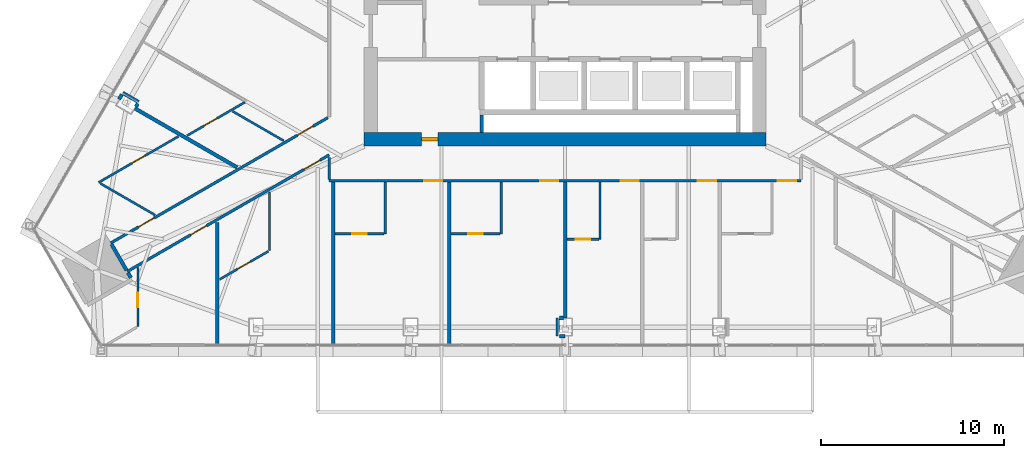
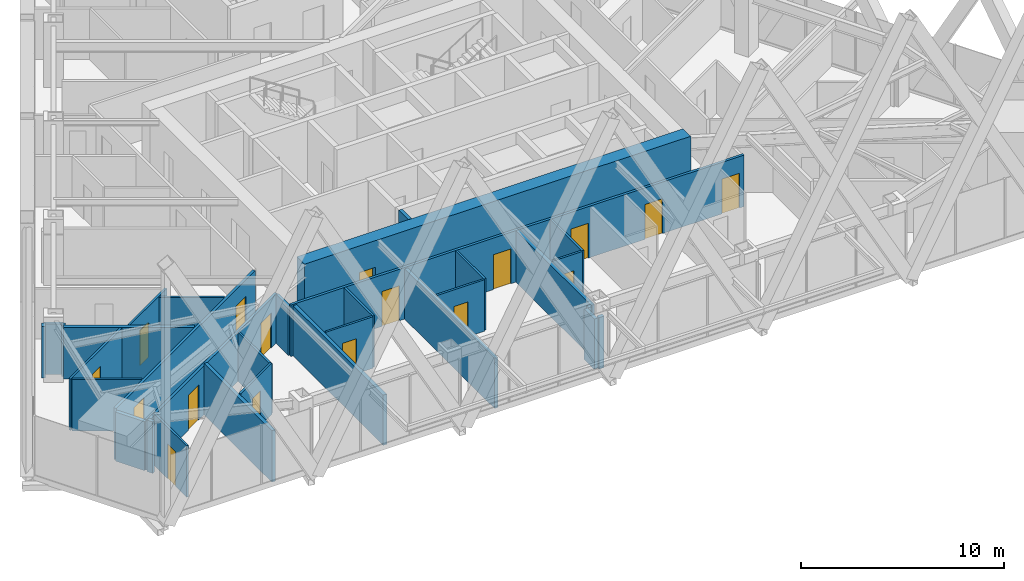
# One storey, part 12 of 19: 32 walls, 17 doors, 17 openings.
"""IFC4 building model written with IfcOpenShell, lengths in metres."""

from ifc_helpers import new_model, si_unit, direction, frame, frame_2d, origin, place, context, subcontext, project, spatial, rectangle, extrude, material, layer, layer_set, type_object, element, fill, save


model = new_model("IFC4")

# Units and contexts
model_context = context("Model", 3, precision=1e-05, world=origin(), true_north=direction((0.0, 1.0)))
body_context = subcontext(model_context, "Body", "Model", "MODEL_VIEW")
ifc_project = project(units=[si_unit("LENGTHUNIT", "METRE"), si_unit("AREAUNIT", "SQUARE_METRE"), si_unit("VOLUMEUNIT", "CUBIC_METRE"), si_unit("PLANEANGLEUNIT", "RADIAN"), si_unit("MASSUNIT", "GRAM", prefix="KILO")], contexts=[model_context])

# Site, building, storey
site_placement = place(None, origin())
site = spatial("IfcSite", under=ifc_project, at=site_placement, CompositionType="ELEMENT")
building_placement = place(site_placement, origin())
building = spatial("IfcBuilding", under=site, at=building_placement, Name="Firuza Gate Tower and Library", CompositionType="ELEMENT")
storey_placement = place(building_placement, frame((0.0, 0.0, 218.199951171875)))
storey = spatial("IfcBuildingStorey", under=building, at=storey_placement, Name="L51", CompositionType="ELEMENT", Elevation=218.199951171875)

# Wall
ifc_material_1 = material(Name="Plasterboard on steel studs", Category="steel")
ifc_layer_1 = layer(ifc_material_1, 0.199951171875)
ifc_layer_set_1 = layer_set([ifc_layer_1], Name="Core partition 200 EI 120")
wall_type_1 = type_object("IfcWallType", Name="Core partition 200 EI 120", PredefinedType="PARTITIONING", material=ifc_layer_set_1)
wall_1_placement = place(storey_placement, frame((70.449951171875, 67.75, 0.0), z_axis=(0.0, 0.0, 1.0), x_axis=(0.0, 1.0, 0.0)))
element("IfcWall", 1, at=wall_1_placement, inside=storey, type_object=wall_type_1, Name="Core partition L51 9", PredefinedType="PARTITIONING", context=body_context, shape_type="SweptSolid", body=[
    extrude(rectangle(XDim=0.949951171875, YDim=0.199951171875, at=frame_2d((0.47509765625, 0.0))), origin(), (0.0, 0.0, 1.0), 3.699951171875),
])

# Wall, opening, door
ifc_material_2 = material(Name="Concrete C80/95", Category="concrete")
ifc_layer_2 = layer(ifc_material_2, 0.75)
ifc_layer_set_2 = layer_set([ifc_layer_2], Name="Core wall 750 C80/95")
wall_type_2 = type_object("IfcWallType", Name="Core wall 750 C80/95", PredefinedType="SHEAR", material=ifc_layer_set_2)
wall_2_placement = place(storey_placement, frame((64.0, 67.375, 0.0), z_axis=(0.0, 0.0, 1.0), x_axis=(1.0, 0.0, 0.0)))
wall_2 = element("IfcWall", 2, at=wall_2_placement, inside=storey, type_object=wall_type_2, Name="Core wall L51 1", PredefinedType="SHEAR", context=body_context, shape_type="SweptSolid", body=[
    extrude(rectangle(XDim=22.0, YDim=0.75, at=frame_2d((11.0, 0.0))), origin(), (0.0, 0.0, 1.0), 3.699951171875),
])
opening_1_placement = place(wall_2_placement, frame((3.14990234375, 0.0, 0.0)))
opening_1 = element("IfcOpeningElement", 3, at=opening_1_placement, cuts=wall_2, Name="Opening L51-K22", PredefinedType="OPENING", context=body_context, shape_type="SweptSolid", body=[
    extrude(rectangle(XDim=0.89990234375, YDim=2.10009765625, at=frame_2d((0.449951171875, 1.050048828125))), frame((0.0, 0.385009765625, 0.0), z_axis=(0.0, -1.0, 0.0), x_axis=(1.0, 0.0, 0.0)), (0.0, 0.0, 1.0), 0.77001953125),
])
ifc_material_3 = material(Name="Steel", Category="steel")
door_type_1 = type_object("IfcDoorType", Name="Fire door 900x2100 FD30S", OperationType="NOTDEFINED", PredefinedType="DOOR", material=ifc_material_3)
door_1_placement = place(opening_1_placement, origin())
door_1 = element("IfcDoor", 4, at=door_1_placement, inside=storey, type_object=door_type_1, Name="Door L51-K22", OperationType="SINGLE_SWING_LEFT", OverallHeight=2.10009765625, OverallWidth=0.89990234375, PredefinedType="DOOR", context=body_context, shape_type="SweptSolid", body=[
    extrude(rectangle(XDim=0.89990234375, YDim=2.10009765625, at=frame_2d((0.449951171875, 1.050048828125))), frame((0.0, 0.094970703125, 0.0), z_axis=(0.0, -1.0, 0.0), x_axis=(1.0, 0.0, 0.0)), (0.0, 0.0, 1.0), 0.18994140625),
])
fill(opening_1, door_1)

# Wall, openings, doors
ifc_material_4 = material(Name="Gypsum board partition")
ifc_layer_3 = layer(ifc_material_4, 0.14990234375)
ifc_layer_set_3 = layer_set([ifc_layer_3], Name="Corridor wall 150 double board on steel studs")
wall_type_3 = type_object("IfcWallType", Name="Corridor wall 150 double board on steel studs", PredefinedType="PARTITIONING", material=ifc_layer_set_3)
wall_3_placement = place(storey_placement, frame((87.8994140625, 65.10009765625, 0.0), z_axis=(0.0, 0.0, 1.0), x_axis=(-1.0, 0.0, 0.0)))
wall_3 = element("IfcWall", 5, at=wall_3_placement, inside=storey, type_object=wall_type_3, Name="f:L51:w008", PredefinedType="PARTITIONING", context=body_context, shape_type="SweptSolid", body=[
    extrude(rectangle(XDim=25.798828125, YDim=0.14990234375, at=frame_2d((12.8994140625, 0.0))), origin(), (0.0, 0.0, 1.0), 3.10009765625),
])
opening_2_placement = place(wall_3_placement, frame((0.259033203125, 0.0, 0.0)))
opening_2 = element("IfcOpeningElement", 6, at=opening_2_placement, cuts=wall_3, Name="Opening L51-06", PredefinedType="OPENING", context=body_context, shape_type="SweptSolid", body=[
    extrude(rectangle(XDim=1.0, YDim=2.10009765625, at=frame_2d((0.5, 1.050048828125))), frame((0.0, 0.0849609375, 0.0), z_axis=(0.0, -1.0, 0.0), x_axis=(1.0, 0.0, 0.0)), (0.0, 0.0, 1.0), 0.169921875),
])
opening_3_placement = place(wall_3_placement, frame((4.640625, 0.0, 0.0)))
opening_3 = element("IfcOpeningElement", 7, at=opening_3_placement, cuts=wall_3, Name="Opening L51-07", PredefinedType="OPENING", context=body_context, shape_type="SweptSolid", body=[
    extrude(rectangle(XDim=1.0, YDim=2.10009765625, at=frame_2d((0.5, 1.050048828125))), frame((0.0, 0.0849609375, 0.0), z_axis=(0.0, -1.0, 0.0), x_axis=(1.0, 0.0, 0.0)), (0.0, 0.0, 1.0), 0.169921875),
])
opening_4_placement = place(wall_3_placement, frame((8.868408203125, 0.0, 0.0)))
opening_4 = element("IfcOpeningElement", 8, at=opening_4_placement, cuts=wall_3, Name="Opening L51-08", PredefinedType="OPENING", context=body_context, shape_type="SweptSolid", body=[
    extrude(rectangle(XDim=1.0, YDim=2.10009765625, at=frame_2d((0.5, 1.050048828125))), frame((0.0, 0.0849609375, 0.0), z_axis=(0.0, -1.0, 0.0), x_axis=(1.0, 0.0, 0.0)), (0.0, 0.0, 1.0), 0.169921875),
])
opening_5_placement = place(wall_3_placement, frame((13.2705078125, 0.0, 0.0)))
opening_5 = element("IfcOpeningElement", 9, at=opening_5_placement, cuts=wall_3, Name="Opening L51-09", PredefinedType="OPENING", context=body_context, shape_type="SweptSolid", body=[
    extrude(rectangle(XDim=1.0, YDim=2.10009765625, at=frame_2d((0.5, 1.050048828125))), frame((0.0, 0.0849609375, 0.0), z_axis=(0.0, -1.0, 0.0), x_axis=(1.0, 0.0, 0.0)), (0.0, 0.0, 1.0), 0.169921875),
])
opening_6_placement = place(wall_3_placement, frame((19.6123046875, 0.0, 0.0)))
opening_6 = element("IfcOpeningElement", 10, at=opening_6_placement, cuts=wall_3, Name="Opening L51-10", PredefinedType="OPENING", context=body_context, shape_type="SweptSolid", body=[
    extrude(rectangle(XDim=1.0, YDim=2.10009765625, at=frame_2d((0.5, 1.050048828125))), frame((0.0, 0.0849609375, 0.0), z_axis=(0.0, -1.0, 0.0), x_axis=(1.0, 0.0, 0.0)), (0.0, 0.0, 1.0), 0.169921875),
])
ifc_material_5 = material(Name="Steel door and timber leaf", Category="steel")
door_type_2 = type_object("IfcDoorType", Name="Fire door 1000 x 2100 steel frame, timber leaf", OperationType="NOTDEFINED", PredefinedType="DOOR", material=ifc_material_5)
door_2_placement = place(opening_2_placement, origin())
door_2 = element("IfcDoor", 11, at=door_2_placement, inside=storey, type_object=door_type_2, Name="f:L51:d006", OperationType="SINGLE_SWING_RIGHT", OverallHeight=2.10009765625, OverallWidth=1.0, PredefinedType="DOOR", context=body_context, shape_type="SweptSolid", body=[
    extrude(rectangle(XDim=1.0, YDim=2.10009765625, at=frame_2d((0.5, 1.050048828125))), frame((0.0, 0.02490234375, 0.0), z_axis=(0.0, -1.0, 0.0), x_axis=(1.0, 0.0, 0.0)), (0.0, 0.0, 1.0), 0.050048828125),
])
fill(opening_2, door_2)
door_3_placement = place(opening_3_placement, origin())
door_3 = element("IfcDoor", 12, at=door_3_placement, inside=storey, type_object=door_type_2, Name="f:L51:d007", OperationType="SINGLE_SWING_RIGHT", OverallHeight=2.10009765625, OverallWidth=1.0, PredefinedType="DOOR", context=body_context, shape_type="SweptSolid", body=[
    extrude(rectangle(XDim=1.0, YDim=2.10009765625, at=frame_2d((0.5, 1.050048828125))), frame((0.0, 0.02490234375, 0.0), z_axis=(0.0, -1.0, 0.0), x_axis=(1.0, 0.0, 0.0)), (0.0, 0.0, 1.0), 0.050048828125),
])
fill(opening_3, door_3)
door_4_placement = place(opening_4_placement, origin())
door_4 = element("IfcDoor", 13, at=door_4_placement, inside=storey, type_object=door_type_2, Name="f:L51:d008", OperationType="SINGLE_SWING_RIGHT", OverallHeight=2.10009765625, OverallWidth=1.0, PredefinedType="DOOR", context=body_context, shape_type="SweptSolid", body=[
    extrude(rectangle(XDim=1.0, YDim=2.10009765625, at=frame_2d((0.5, 1.050048828125))), frame((0.0, 0.02490234375, 0.0), z_axis=(0.0, -1.0, 0.0), x_axis=(1.0, 0.0, 0.0)), (0.0, 0.0, 1.0), 0.050048828125),
])
fill(opening_4, door_4)
door_5_placement = place(opening_5_placement, origin())
door_5 = element("IfcDoor", 14, at=door_5_placement, inside=storey, type_object=door_type_2, Name="f:L51:d009", OperationType="SINGLE_SWING_RIGHT", OverallHeight=2.10009765625, OverallWidth=1.0, PredefinedType="DOOR", context=body_context, shape_type="SweptSolid", body=[
    extrude(rectangle(XDim=1.0, YDim=2.10009765625, at=frame_2d((0.5, 1.050048828125))), frame((0.0, 0.02490234375, 0.0), z_axis=(0.0, -1.0, 0.0), x_axis=(1.0, 0.0, 0.0)), (0.0, 0.0, 1.0), 0.050048828125),
])
fill(opening_5, door_5)
door_6_placement = place(opening_6_placement, origin())
door_6 = element("IfcDoor", 15, at=door_6_placement, inside=storey, type_object=door_type_2, Name="f:L51:d010", OperationType="SINGLE_SWING_RIGHT", OverallHeight=2.10009765625, OverallWidth=1.0, PredefinedType="DOOR", context=body_context, shape_type="SweptSolid", body=[
    extrude(rectangle(XDim=1.0, YDim=2.10009765625, at=frame_2d((0.5, 1.050048828125))), frame((0.0, 0.02490234375, 0.0), z_axis=(0.0, -1.0, 0.0), x_axis=(1.0, 0.0, 0.0)), (0.0, 0.0, 1.0), 0.050048828125),
])
fill(opening_6, door_6)

wall_4_placement = place(storey_placement, frame((62.099853515625, 66.512939453125, 0.0), z_axis=(0.0, 0.0, 1.0), x_axis=(-0.866025886419, -0.499999164051, 0.0)))
wall_4 = element("IfcWall", 16, at=wall_4_placement, inside=storey, type_object=wall_type_3, Name="f:L51:w029", PredefinedType="PARTITIONING", context=body_context, shape_type="SweptSolid", body=[
    extrude(rectangle(XDim=12.75439453125, YDim=0.14990234375, at=frame_2d((6.377197265625, 0.0))), origin(), (0.0, 0.0, 1.0), 2.947021484375),
])
opening_7_placement = place(wall_4_placement, frame((0.587158203125, 0.0, 0.0)))
opening_7 = element("IfcOpeningElement", 17, at=opening_7_placement, cuts=wall_4, Name="Opening L51-21", PredefinedType="OPENING", context=body_context, shape_type="SweptSolid", body=[
    extrude(rectangle(XDim=1.0, YDim=2.10009765625, at=frame_2d((0.5, 1.050048828125))), frame((0.0, 0.0849609375, 0.0), z_axis=(0.0, -1.0, 0.0), x_axis=(1.0, 0.0, 0.0)), (0.0, 0.0, 1.0), 0.169921875),
])
opening_8_placement = place(wall_4_placement, frame((7.742431640625, 0.0, 0.0)))
opening_8 = element("IfcOpeningElement", 18, at=opening_8_placement, cuts=wall_4, Name="Opening L51-22", PredefinedType="OPENING", context=body_context, shape_type="SweptSolid", body=[
    extrude(rectangle(XDim=1.0, YDim=2.10009765625, at=frame_2d((0.5, 1.050048828125))), frame((0.0, 0.0849609375, 0.0), z_axis=(0.0, -1.0, 0.0), x_axis=(1.0, 0.0, 0.0)), (0.0, 0.0, 1.0), 0.169921875),
])
door_7_placement = place(opening_7_placement, origin())
door_7 = element("IfcDoor", 19, at=door_7_placement, inside=storey, type_object=door_type_2, Name="f:L51:d021", OperationType="SINGLE_SWING_RIGHT", OverallHeight=2.10009765625, OverallWidth=1.0, PredefinedType="DOOR", context=body_context, shape_type="SweptSolid", body=[
    extrude(rectangle(XDim=1.0, YDim=2.10009765625, at=frame_2d((0.5, 1.050048828125))), frame((0.0, 0.02490234375, 0.0), z_axis=(0.0, -1.0, 0.0), x_axis=(1.0, 0.0, 0.0)), (0.0, 0.0, 1.0), 0.050048828125),
])
fill(opening_7, door_7)
door_8_placement = place(opening_8_placement, origin())
door_8 = element("IfcDoor", 20, at=door_8_placement, inside=storey, type_object=door_type_2, Name="f:L51:d022", OperationType="SINGLE_SWING_RIGHT", OverallHeight=2.10009765625, OverallWidth=1.0, PredefinedType="DOOR", context=body_context, shape_type="SweptSolid", body=[
    extrude(rectangle(XDim=1.0, YDim=2.10009765625, at=frame_2d((0.5, 1.050048828125))), frame((0.0, 0.02490234375, 0.0), z_axis=(0.0, -1.0, 0.0), x_axis=(1.0, 0.0, 0.0)), (0.0, 0.0, 1.0), 0.050048828125),
])
fill(opening_8, door_8)

wall_5_placement = place(storey_placement, frame((50.15478515625, 61.69482421875, 0.0), z_axis=(0.0, 0.0, 1.0), x_axis=(0.8660236305, 0.500003071406, 0.0)))
wall_5 = element("IfcWall", 21, at=wall_5_placement, inside=storey, type_object=wall_type_3, Name="f:L51:w032", PredefinedType="PARTITIONING", context=body_context, shape_type="SweptSolid", body=[
    extrude(rectangle(XDim=13.70654296875, YDim=0.14990234375, at=frame_2d((6.853271484375, 0.0))), origin(), (0.0, 0.0, 1.0), 3.10009765625),
])
opening_9_placement = place(wall_5_placement, frame((1.736328125, 0.0, 0.0)))
opening_9 = element("IfcOpeningElement", 22, at=opening_9_placement, cuts=wall_5, Name="Opening L51-23", PredefinedType="OPENING", context=body_context, shape_type="SweptSolid", body=[
    extrude(rectangle(XDim=1.0, YDim=2.10009765625, at=frame_2d((0.5, 1.050048828125))), frame((0.0, 0.0849609375, 0.0), z_axis=(0.0, -1.0, 0.0), x_axis=(1.0, 0.0, 0.0)), (0.0, 0.0, 1.0), 0.169921875),
])
opening_10_placement = place(wall_5_placement, frame((11.777099609375, 0.0, 0.0)))
opening_10 = element("IfcOpeningElement", 23, at=opening_10_placement, cuts=wall_5, Name="Opening L51-24", PredefinedType="OPENING", context=body_context, shape_type="SweptSolid", body=[
    extrude(rectangle(XDim=1.0, YDim=2.10009765625, at=frame_2d((0.5, 1.050048828125))), frame((0.0, 0.0849609375, 0.0), z_axis=(0.0, -1.0, 0.0), x_axis=(1.0, 0.0, 0.0)), (0.0, 0.0, 1.0), 0.169921875),
])
door_9_placement = place(opening_9_placement, origin())
door_9 = element("IfcDoor", 24, at=door_9_placement, inside=storey, type_object=door_type_2, Name="f:L51:d023", OperationType="SINGLE_SWING_LEFT", OverallHeight=2.10009765625, OverallWidth=1.0, PredefinedType="DOOR", context=body_context, shape_type="SweptSolid", body=[
    extrude(rectangle(XDim=1.0, YDim=2.10009765625, at=frame_2d((0.5, 1.050048828125))), frame((0.0, 0.02490234375, 0.0), z_axis=(0.0, -1.0, 0.0), x_axis=(1.0, 0.0, 0.0)), (0.0, 0.0, 1.0), 0.050048828125),
])
fill(opening_9, door_9)
door_10_placement = place(opening_10_placement, origin())
door_10 = element("IfcDoor", 25, at=door_10_placement, inside=storey, type_object=door_type_2, Name="f:L51:d024", OperationType="SINGLE_SWING_RIGHT", OverallHeight=2.10009765625, OverallWidth=1.0, PredefinedType="DOOR", context=body_context, shape_type="SweptSolid", body=[
    extrude(rectangle(XDim=1.0, YDim=2.10009765625, at=frame_2d((0.5, 1.050048828125))), frame((0.0, 0.02490234375, 0.0), z_axis=(0.0, -1.0, 0.0), x_axis=(1.0, 0.0, 0.0)), (0.0, 0.0, 1.0), 0.050048828125),
])
fill(opening_10, door_10)

# Walls
wall_6_placement = place(storey_placement, frame((62.10009765625, 65.175537109375, 0.0), z_axis=(0.0, 0.0, 1.0), x_axis=(0.0, 1.0, 0.0)))
element("IfcWall", 26, at=wall_6_placement, inside=storey, type_object=wall_type_3, Name="f:L51:w081", PredefinedType="PARTITIONING", context=body_context, shape_type="SweptSolid", body=[
    extrude(rectangle(XDim=1.20068359375, YDim=0.14990234375, at=frame_2d((0.600341796875, 0.0))), origin(), (0.0, 0.0, 1.0), 2.947021484375),
])
ifc_material_6 = material(Name="Gypsum board partition")
ifc_layer_4 = layer(ifc_material_6, 0.199951171875)
ifc_layer_set_4 = layer_set([ifc_layer_4], Name="Demising wall 200 acoustic double stud")
wall_type_4 = type_object("IfcWallType", Name="Demising wall 200 acoustic double stud", PredefinedType="PARTITIONING", material=ifc_layer_set_4)
wall_7_placement = place(storey_placement, frame((74.700439453125, 56.596923828125, 0.0), z_axis=(0.0, 0.0, 1.0), x_axis=(1.0, 0.0, 0.0)))
element("IfcWall", 27, at=wall_7_placement, inside=storey, type_object=wall_type_4, Name="f:L51:w000", PredefinedType="PARTITIONING", context=body_context, shape_type="SweptSolid", body=[
    extrude(rectangle(XDim=0.299072265625, YDim=0.199951171875, at=frame_2d((0.1494140625, 0.0))), origin(), (0.0, 0.0, 1.0), 3.10009765625),
])
for number, where, z_axis, x_axis, name in (
    (28, (74.700439453125, 57.596923828125, 0.0), (0.0, 0.0, 1.0), (1.0, 0.0, 0.0), "f:L51:w002"),
    (29, (51.523193359375, 69.142822265625, 0.0), (0.0, 0.0, 1.0), (0.500359323436, 0.865817848887, 0.0), "f:L51:w044"),
):
    element("IfcWall", number, at=place(storey_placement, frame(where, z_axis=z_axis, x_axis=x_axis)), inside=storey, type_object=wall_type_4, Name=name, PredefinedType="PARTITIONING", context=body_context, shape_type="SweptSolid", body=[
        extrude(rectangle(XDim=0.198974609375, YDim=0.199951171875, at=frame_2d((0.099609375, 0.0))), origin(), (0.0, 0.0, 1.0), 3.10009765625),
    ])
wall_8_placement = place(storey_placement, frame((50.607177734375, 69.55615234375, 0.0), z_axis=(0.0, 0.0, 1.0), x_axis=(0.49965177357, 0.866226359082, 0.0)))
element("IfcWall", 30, at=wall_8_placement, inside=storey, type_object=wall_type_4, Name="f:L51:w045", PredefinedType="PARTITIONING", context=body_context, shape_type="SweptSolid", body=[
    extrude(rectangle(XDim=0.299072265625, YDim=0.199951171875, at=frame_2d((0.1494140625, 0.0))), origin(), (0.0, 0.0, 1.0), 3.10009765625),
])
wall_9_placement = place(storey_placement, frame((75.0, 57.597900390625, 0.0), z_axis=(0.0, 0.0, 1.0), x_axis=(0.0, 1.0, 0.0)))
element("IfcWall", 31, at=wall_9_placement, inside=storey, type_object=wall_type_4, Name="f:L51:w068", PredefinedType="PARTITIONING", context=body_context, shape_type="SweptSolid", body=[
    extrude(rectangle(XDim=7.427001953125, YDim=0.199951171875, at=frame_2d((3.71337890625, 0.0))), origin(), (0.0, 0.0, 1.0), 3.10009765625),
])
wall_10_placement = place(storey_placement, frame((74.60009765625, 56.597900390625, 0.0), z_axis=(0.0, 0.0, 1.0), x_axis=(0.0, 1.0, 0.0)))
element("IfcWall", 32, at=wall_10_placement, inside=storey, type_object=wall_type_4, Name="f:L51:w069", PredefinedType="PARTITIONING", context=body_context, shape_type="SweptSolid", body=[
    extrude(rectangle(XDim=0.9990234375, YDim=0.199951171875, at=frame_2d((0.49951171875, 0.0))), origin(), (0.0, 0.0, 1.0), 3.02197265625),
])
for number, where, z_axis, x_axis, name in (
    (33, (68.657958984375, 56.137451171875, 0.0), (0.0, 0.0, 1.0), (0.0, 1.0, 0.0), "f:L51:w076"),
    (34, (62.31689453125, 56.137451171875, 0.0), (0.0, 0.0, 1.0), (0.0, 1.0, 0.0), "f:L51:w080"),
):
    element("IfcWall", number, at=place(storey_placement, frame(where, z_axis=z_axis, x_axis=x_axis)), inside=storey, type_object=wall_type_4, Name=name, PredefinedType="PARTITIONING", context=body_context, shape_type="SweptSolid", body=[
        extrude(rectangle(XDim=8.887451171875, YDim=0.199951171875, at=frame_2d((4.44384765625, 0.0))), origin(), (0.0, 0.0, 1.0), 3.02197265625),
    ])
wall_11_placement = place(storey_placement, frame((55.97509765625, 56.137451171875, 0.0), z_axis=(0.0, 0.0, 1.0), x_axis=(0.0, 1.0, 0.0)))
element("IfcWall", 35, at=wall_11_placement, inside=storey, type_object=wall_type_4, Name="f:L51:w085", PredefinedType="PARTITIONING", context=body_context, shape_type="SweptSolid", body=[
    extrude(rectangle(XDim=6.6923828125, YDim=0.199951171875, at=frame_2d((3.34619140625, 0.0))), origin(), (0.0, 0.0, 1.0), 3.10009765625),
])
wall_12_placement = place(storey_placement, frame((51.25390625, 59.78955078125, 0.0), z_axis=(0.0, 0.0, 1.0), x_axis=(-0.499939380126, 0.866060399857, 0.0)))
element("IfcWall", 36, at=wall_12_placement, inside=storey, type_object=wall_type_4, Name="f:L51:w092", PredefinedType="PARTITIONING", context=body_context, shape_type="SweptSolid", body=[
    extrude(rectangle(XDim=0.32470703125, YDim=0.199951171875, at=frame_2d((0.162353515625, 0.0))), origin(), (0.0, 0.0, 1.0), 3.10009765625),
])
wall_13_placement = place(storey_placement, frame((51.673095703125, 69.402587890625, 0.0), z_axis=(0.0, 0.0, 1.0), x_axis=(-0.866039090965, 0.499976292358, 0.0)))
element("IfcWall", 37, at=wall_13_placement, inside=storey, type_object=wall_type_4, Name="f:L51:w116", PredefinedType="PARTITIONING", context=body_context, shape_type="SweptSolid", body=[
    extrude(rectangle(XDim=0.9990234375, YDim=0.199951171875, at=frame_2d((0.49951171875, 0.0))), origin(), (0.0, 0.0, 1.0), 3.02197265625),
])
wall_14_placement = place(storey_placement, frame((57.06201171875, 65.82958984375, 0.0), z_axis=(0.0, 0.0, 1.0), x_axis=(-0.866041300655, 0.499972464802, 0.0)))
element("IfcWall", 38, at=wall_14_placement, inside=storey, type_object=wall_type_4, Name="f:L51:w117", PredefinedType="PARTITIONING", context=body_context, shape_type="SweptSolid", body=[
    extrude(rectangle(XDim=6.452392578125, YDim=0.199951171875, at=frame_2d((3.22607421875, 0.0))), origin(), (0.0, 0.0, 1.0), 3.10009765625),
])
wall_15_placement = place(storey_placement, frame((51.0166015625, 60.20068359375, 0.0), z_axis=(0.0, 0.0, 1.0), x_axis=(-0.499991515992, 0.866030301974, 0.0)))
element("IfcWall", 39, at=wall_15_placement, inside=storey, type_object=wall_type_4, Name="f:L51:w121", PredefinedType="PARTITIONING", context=body_context, shape_type="SweptSolid", body=[
    extrude(rectangle(XDim=1.6494140625, YDim=0.199951171875, at=frame_2d((0.82470703125, 0.0))), origin(), (0.0, 0.0, 1.0), 2.947021484375),
])

# Wall, opening, door
ifc_material_7 = material(Name="Gypsum board partition")
ifc_layer_5 = layer(ifc_material_7, 0.1201171875)
ifc_layer_set_5 = layer_set([ifc_layer_5], Name="Wet-area partition 120 moisture-resistant board")
wall_type_5 = type_object("IfcWallType", Name="Wet-area partition 120 moisture-resistant board", PredefinedType="PARTITIONING", material=ifc_layer_set_5)
wall_16_placement = place(storey_placement, frame((75.10009765625, 61.89990234375, 0.0), z_axis=(0.0, 0.0, 1.0), x_axis=(1.0, 0.0, 0.0)))
wall_16 = element("IfcWall", 40, at=wall_16_placement, inside=storey, type_object=wall_type_5, Name="f:L51:w003", PredefinedType="PARTITIONING", context=body_context, shape_type="SweptSolid", body=[
    extrude(rectangle(XDim=1.742431640625, YDim=0.1201171875, at=frame_2d((0.87109375, 0.0))), origin(), (0.0, 0.0, 1.0), 3.10009765625),
])
opening_11_placement = place(wall_16_placement, frame((0.47119140625, 0.0, 0.0)))
opening_11 = element("IfcOpeningElement", 41, at=opening_11_placement, cuts=wall_16, Name="Opening L51-01", PredefinedType="OPENING", context=body_context, shape_type="SweptSolid", body=[
    extrude(rectangle(XDim=0.800048828125, YDim=2.10009765625, at=frame_2d((0.39990234375, 1.050048828125))), frame((0.0, 0.070068359375, 0.0), z_axis=(0.0, -1.0, 0.0), x_axis=(1.0, 0.0, 0.0)), (0.0, 0.0, 1.0), 0.14013671875),
])
ifc_material_8 = material(Name="Timber door", Category="wood")
door_type_3 = type_object("IfcDoorType", Name="Door 800 x 2100 timber leaf", OperationType="NOTDEFINED", PredefinedType="DOOR", material=ifc_material_8)
door_11_placement = place(opening_11_placement, origin())
door_11 = element("IfcDoor", 42, at=door_11_placement, inside=storey, type_object=door_type_3, Name="f:L51:d001", OperationType="SINGLE_SWING_RIGHT", OverallHeight=2.10009765625, OverallWidth=0.800048828125, PredefinedType="DOOR", context=body_context, shape_type="SweptSolid", body=[
    extrude(rectangle(XDim=0.800048828125, YDim=2.10009765625, at=frame_2d((0.39990234375, 1.050048828125))), frame((0.0, 0.02490234375, 0.0), z_axis=(0.0, -1.0, 0.0), x_axis=(1.0, 0.0, 0.0)), (0.0, 0.0, 1.0), 0.050048828125),
])
fill(opening_11, door_11)

wall_17_placement = place(storey_placement, frame((62.426513671875, 62.199951171875, 0.0), z_axis=(0.0, 0.0, 1.0), x_axis=(1.0, 0.0, 0.0)))
wall_17 = element("IfcWall", 43, at=wall_17_placement, inside=storey, type_object=wall_type_5, Name="f:L51:w005", PredefinedType="PARTITIONING", context=body_context, shape_type="SweptSolid", body=[
    extrude(rectangle(XDim=2.673828125, YDim=0.1201171875, at=frame_2d((1.3369140625, 0.0))), origin(), (0.0, 0.0, 1.0), 3.10009765625),
])
opening_12_placement = place(wall_17_placement, frame((0.93701171875, 0.0, 0.0)))
opening_12 = element("IfcOpeningElement", 44, at=opening_12_placement, cuts=wall_17, Name="Opening L51-03", PredefinedType="OPENING", context=body_context, shape_type="SweptSolid", body=[
    extrude(rectangle(XDim=0.800048828125, YDim=2.10009765625, at=frame_2d((0.39990234375, 1.050048828125))), frame((0.0, 0.070068359375, 0.0), z_axis=(0.0, -1.0, 0.0), x_axis=(1.0, 0.0, 0.0)), (0.0, 0.0, 1.0), 0.14013671875),
])
door_12_placement = place(opening_12_placement, origin())
door_12 = element("IfcDoor", 45, at=door_12_placement, inside=storey, type_object=door_type_3, Name="f:L51:d003", OperationType="SINGLE_SWING_RIGHT", OverallHeight=2.10009765625, OverallWidth=0.800048828125, PredefinedType="DOOR", context=body_context, shape_type="SweptSolid", body=[
    extrude(rectangle(XDim=0.800048828125, YDim=2.10009765625, at=frame_2d((0.39990234375, 1.050048828125))), frame((0.0, 0.02490234375, 0.0), z_axis=(0.0, -1.0, 0.0), x_axis=(1.0, 0.0, 0.0)), (0.0, 0.0, 1.0), 0.050048828125),
])
fill(opening_12, door_12)

wall_18_placement = place(storey_placement, frame((68.75830078125, 62.199951171875, 0.0), z_axis=(0.0, 0.0, 1.0), x_axis=(1.0, 0.0, 0.0)))
wall_18 = element("IfcWall", 46, at=wall_18_placement, inside=storey, type_object=wall_type_5, Name="f:L51:w006", PredefinedType="PARTITIONING", context=body_context, shape_type="SweptSolid", body=[
    extrude(rectangle(XDim=2.683837890625, YDim=0.1201171875, at=frame_2d((1.341796875, 0.0))), origin(), (0.0, 0.0, 1.0), 3.10009765625),
])
opening_13_placement = place(wall_18_placement, frame((0.94189453125, 0.0, 0.0)))
opening_13 = element("IfcOpeningElement", 47, at=opening_13_placement, cuts=wall_18, Name="Opening L51-04", PredefinedType="OPENING", context=body_context, shape_type="SweptSolid", body=[
    extrude(rectangle(XDim=0.800048828125, YDim=2.10009765625, at=frame_2d((0.39990234375, 1.050048828125))), frame((0.0, 0.070068359375, 0.0), z_axis=(0.0, -1.0, 0.0), x_axis=(1.0, 0.0, 0.0)), (0.0, 0.0, 1.0), 0.14013671875),
])
door_13_placement = place(opening_13_placement, origin())
door_13 = element("IfcDoor", 48, at=door_13_placement, inside=storey, type_object=door_type_3, Name="f:L51:d004", OperationType="SINGLE_SWING_RIGHT", OverallHeight=2.10009765625, OverallWidth=0.800048828125, PredefinedType="DOOR", context=body_context, shape_type="SweptSolid", body=[
    extrude(rectangle(XDim=0.800048828125, YDim=2.10009765625, at=frame_2d((0.39990234375, 1.050048828125))), frame((0.0, 0.02490234375, 0.0), z_axis=(0.0, -1.0, 0.0), x_axis=(1.0, 0.0, 0.0)), (0.0, 0.0, 1.0), 0.050048828125),
])
fill(opening_13, door_13)

wall_19_placement = place(storey_placement, frame((56.109375, 59.705810546875, 0.0), z_axis=(0.0, 0.0, 1.0), x_axis=(0.866042588199, 0.499970234539, 0.0)))
wall_19 = element("IfcWall", 49, at=wall_19_placement, inside=storey, type_object=wall_type_5, Name="f:L51:w026", PredefinedType="PARTITIONING", context=body_context, shape_type="SweptSolid", body=[
    extrude(rectangle(XDim=3.070556640625, YDim=0.1201171875, at=frame_2d((1.53515625, 0.0))), origin(), (0.0, 0.0, 1.0), 3.10009765625),
])
opening_14_placement = place(wall_19_placement, frame((1.13525390625, 0.0, 0.0)))
opening_14 = element("IfcOpeningElement", 50, at=opening_14_placement, cuts=wall_19, Name="Opening L51-19", PredefinedType="OPENING", context=body_context, shape_type="SweptSolid", body=[
    extrude(rectangle(XDim=0.800048828125, YDim=2.10009765625, at=frame_2d((0.39990234375, 1.050048828125))), frame((0.0, 0.070068359375, 0.0), z_axis=(0.0, -1.0, 0.0), x_axis=(1.0, 0.0, 0.0)), (0.0, 0.0, 1.0), 0.14013671875),
])
door_14_placement = place(opening_14_placement, origin())
door_14 = element("IfcDoor", 51, at=door_14_placement, inside=storey, type_object=door_type_3, Name="f:L51:d019", OperationType="SINGLE_SWING_RIGHT", OverallHeight=2.10009765625, OverallWidth=0.800048828125, PredefinedType="DOOR", context=body_context, shape_type="SweptSolid", body=[
    extrude(rectangle(XDim=0.800048828125, YDim=2.10009765625, at=frame_2d((0.39990234375, 1.050048828125))), frame((0.0, 0.02490234375, 0.0), z_axis=(0.0, -1.0, 0.0), x_axis=(1.0, 0.0, 0.0)), (0.0, 0.0, 1.0), 0.050048828125),
])
fill(opening_14, door_14)

wall_20_placement = place(storey_placement, frame((57.486328125, 69.391845703125, 0.0), z_axis=(0.0, 0.0, 1.0), x_axis=(-0.866029747927, -0.499992475648, 0.0)))
wall_20 = element("IfcWall", 52, at=wall_20_placement, inside=storey, type_object=wall_type_5, Name="f:L51:w033", PredefinedType="PARTITIONING", context=body_context, shape_type="SweptSolid", body=[
    extrude(rectangle(XDim=3.65234375, YDim=0.1201171875, at=frame_2d((1.826171875, 0.0))), origin(), (0.0, 0.0, 1.0), 3.10009765625),
])
opening_15_placement = place(wall_20_placement, frame((1.765380859375, 0.0, 0.0)))
opening_15 = element("IfcOpeningElement", 53, at=opening_15_placement, cuts=wall_20, Name="Opening L51-25", PredefinedType="OPENING", context=body_context, shape_type="SweptSolid", body=[
    extrude(rectangle(XDim=0.800048828125, YDim=2.10009765625, at=frame_2d((0.39990234375, 1.050048828125))), frame((0.0, 0.070068359375, 0.0), z_axis=(0.0, -1.0, 0.0), x_axis=(1.0, 0.0, 0.0)), (0.0, 0.0, 1.0), 0.14013671875),
])
door_15_placement = place(opening_15_placement, origin())
door_15 = element("IfcDoor", 54, at=door_15_placement, inside=storey, type_object=door_type_3, Name="f:L51:d025", OperationType="SINGLE_SWING_LEFT", OverallHeight=2.10009765625, OverallWidth=0.800048828125, PredefinedType="DOOR", context=body_context, shape_type="SweptSolid", body=[
    extrude(rectangle(XDim=0.800048828125, YDim=2.10009765625, at=frame_2d((0.39990234375, 1.050048828125))), frame((0.0, 0.02490234375, 0.0), z_axis=(0.0, -1.0, 0.0), x_axis=(1.0, 0.0, 0.0)), (0.0, 0.0, 1.0), 0.050048828125),
])
fill(opening_15, door_15)

wall_21_placement = place(storey_placement, frame((53.85400390625, 67.525634765625, 0.0), z_axis=(0.0, 0.0, 1.0), x_axis=(-0.866025012717, -0.500000677347, 0.0)))
wall_21 = element("IfcWall", 55, at=wall_21_placement, inside=storey, type_object=wall_type_5, Name="f:L51:w034", PredefinedType="PARTITIONING", context=body_context, shape_type="SweptSolid", body=[
    extrude(rectangle(XDim=5.03857421875, YDim=0.1201171875, at=frame_2d((2.519287109375, 0.0))), origin(), (0.0, 0.0, 1.0), 3.10009765625),
])
opening_16_placement = place(wall_21_placement, frame((2.119384765625, 0.0, 0.0)))
opening_16 = element("IfcOpeningElement", 56, at=opening_16_placement, cuts=wall_21, Name="Opening L51-26", PredefinedType="OPENING", context=body_context, shape_type="SweptSolid", body=[
    extrude(rectangle(XDim=0.800048828125, YDim=2.10009765625, at=frame_2d((0.39990234375, 1.050048828125))), frame((0.0, 0.070068359375, 0.0), z_axis=(0.0, -1.0, 0.0), x_axis=(1.0, 0.0, 0.0)), (0.0, 0.0, 1.0), 0.14013671875),
])
door_16_placement = place(opening_16_placement, origin())
door_16 = element("IfcDoor", 57, at=door_16_placement, inside=storey, type_object=door_type_3, Name="f:L51:d026", OperationType="SINGLE_SWING_LEFT", OverallHeight=2.10009765625, OverallWidth=0.800048828125, PredefinedType="DOOR", context=body_context, shape_type="SweptSolid", body=[
    extrude(rectangle(XDim=0.800048828125, YDim=2.10009765625, at=frame_2d((0.39990234375, 1.050048828125))), frame((0.0, 0.02490234375, 0.0), z_axis=(0.0, -1.0, 0.0), x_axis=(1.0, 0.0, 0.0)), (0.0, 0.0, 1.0), 0.050048828125),
])
fill(opening_16, door_16)

# Walls
wall_22_placement = place(storey_placement, frame((76.903076171875, 61.89990234375, 0.0), z_axis=(0.0, 0.0, 1.0), x_axis=(0.0, 1.0, 0.0)))
element("IfcWall", 58, at=wall_22_placement, inside=storey, type_object=wall_type_5, Name="f:L51:w066", PredefinedType="PARTITIONING", context=body_context, shape_type="SweptSolid", body=[
    extrude(rectangle(XDim=3.125, YDim=0.1201171875, at=frame_2d((1.5625, 0.0))), origin(), (0.0, 0.0, 1.0), 3.10009765625),
])
for number, where, z_axis, x_axis, name in (
    (59, (71.511962890625, 62.199951171875, 0.0), (0.0, 0.0, 1.0), (0.0, 1.0, 0.0), "f:L51:w073"),
    (60, (65.169921875, 62.199951171875, 0.0), (0.0, 0.0, 1.0), (0.0, 1.0, 0.0), "f:L51:w079"),
):
    element("IfcWall", number, at=place(storey_placement, frame(where, z_axis=z_axis, x_axis=x_axis)), inside=storey, type_object=wall_type_5, Name=name, PredefinedType="PARTITIONING", context=body_context, shape_type="SweptSolid", body=[
        extrude(rectangle(XDim=2.824951171875, YDim=0.1201171875, at=frame_2d((1.41259765625, 0.0))), origin(), (0.0, 0.0, 1.0), 3.10009765625),
    ])
wall_23_placement = place(storey_placement, frame((58.8291015625, 61.275634765625, 0.0), z_axis=(0.0, 0.0, 1.0), x_axis=(0.0, 1.0, 0.0)))
element("IfcWall", 61, at=wall_23_placement, inside=storey, type_object=wall_type_5, Name="f:L51:w084", PredefinedType="PARTITIONING", context=body_context, shape_type="SweptSolid", body=[
    extrude(rectangle(XDim=3.221923828125, YDim=0.1201171875, at=frame_2d((1.61083984375, 0.0))), origin(), (0.0, 0.0, 1.0), 2.947021484375),
])

# Wall, opening, door
wall_24_placement = place(storey_placement, frame((51.639892578125, 57.125, 0.0), z_axis=(0.0, 0.0, 1.0), x_axis=(0.0, 1.0, 0.0)))
wall_24 = element("IfcWall", 62, at=wall_24_placement, inside=storey, type_object=wall_type_5, Name="f:L51:w086", PredefinedType="PARTITIONING", context=body_context, shape_type="SweptSolid", body=[
    extrude(rectangle(XDim=3.22216796875, YDim=0.1201171875, at=frame_2d((1.611083984375, 0.0))), origin(), (0.0, 0.0, 1.0), 3.10009765625),
])
opening_17_placement = place(wall_24_placement, frame((1.06103515625, 0.0, 0.0)))
opening_17 = element("IfcOpeningElement", 63, at=opening_17_placement, cuts=wall_24, Name="Opening L51-40", PredefinedType="OPENING", context=body_context, shape_type="SweptSolid", body=[
    extrude(rectangle(XDim=0.800048828125, YDim=2.10009765625, at=frame_2d((0.39990234375, 1.050048828125))), frame((0.0, 0.070068359375, 0.0), z_axis=(0.0, -1.0, 0.0), x_axis=(1.0, 0.0, 0.0)), (0.0, 0.0, 1.0), 0.14013671875),
])
door_17_placement = place(opening_17_placement, origin())
door_17 = element("IfcDoor", 64, at=door_17_placement, inside=storey, type_object=door_type_3, Name="f:L51:d040", OperationType="SINGLE_SWING_RIGHT", OverallHeight=2.10009765625, OverallWidth=0.800048828125, PredefinedType="DOOR", context=body_context, shape_type="SweptSolid", body=[
    extrude(rectangle(XDim=0.800048828125, YDim=2.10009765625, at=frame_2d((0.39990234375, 1.050048828125))), frame((0.0, 0.02490234375, 0.0), z_axis=(0.0, -1.0, 0.0), x_axis=(1.0, 0.0, 0.0)), (0.0, 0.0, 1.0), 0.050048828125),
])
fill(opening_17, door_17)

# Walls
wall_25_placement = place(storey_placement, frame((59.615478515625, 67.283447265625, 0.0), z_axis=(0.0, 0.0, 1.0), x_axis=(-0.866000447062, 0.500043223821, 0.0)))
element("IfcWall", 65, at=wall_25_placement, inside=storey, type_object=wall_type_5, Name="f:L51:w115", PredefinedType="PARTITIONING", context=body_context, shape_type="SweptSolid", body=[
    extrude(rectangle(XDim=3.228271484375, YDim=0.1201171875, at=frame_2d((1.6142578125, 0.0))), origin(), (0.0, 0.0, 1.0), 3.10009765625),
])
wall_26_placement = place(storey_placement, frame((52.58056640625, 63.2216796875, 0.0), z_axis=(0.0, 0.0, 1.0), x_axis=(-0.865997524453, 0.50004828531, 0.0)))
element("IfcWall", 66, at=wall_26_placement, inside=storey, type_object=wall_type_5, Name="f:L51:w118", PredefinedType="PARTITIONING", context=body_context, shape_type="SweptSolid", body=[
    extrude(rectangle(XDim=3.459228515625, YDim=0.1201171875, at=frame_2d((1.7294921875, 0.0))), origin(), (0.0, 0.0, 1.0), 3.10009765625),
])

save(model, "model.ifc")
